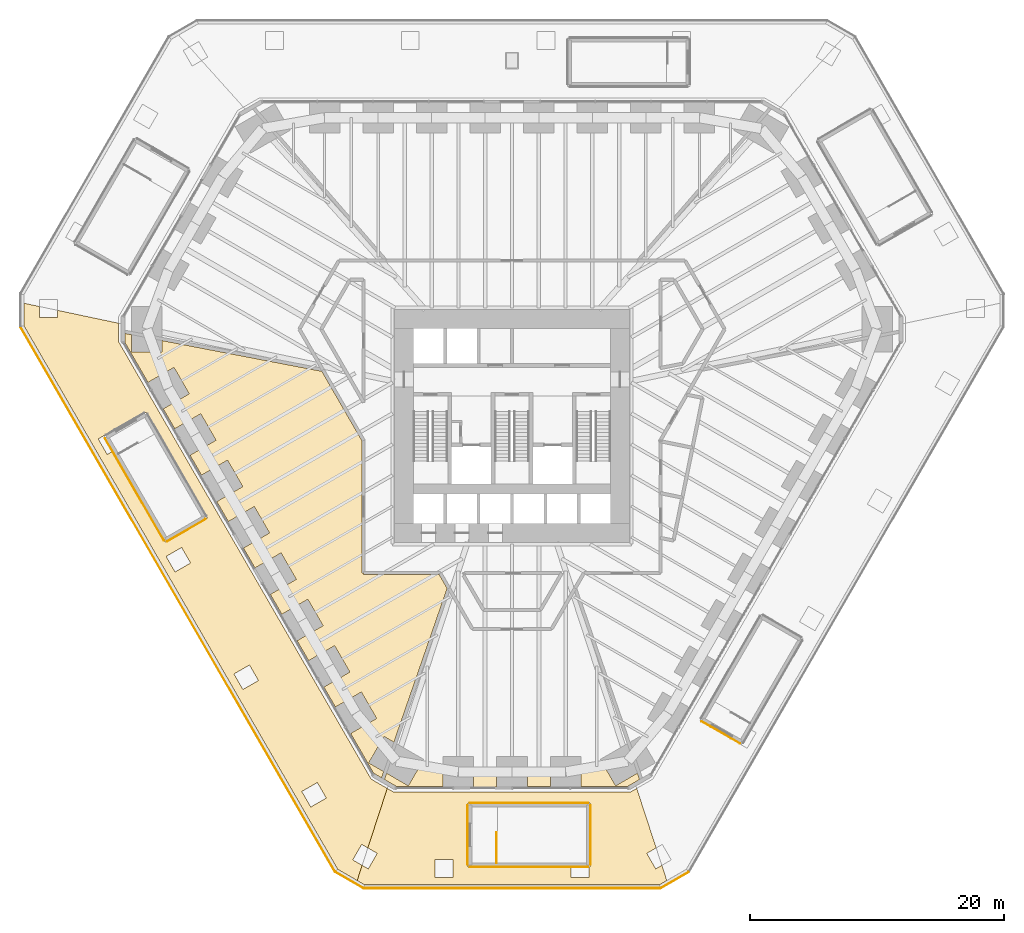
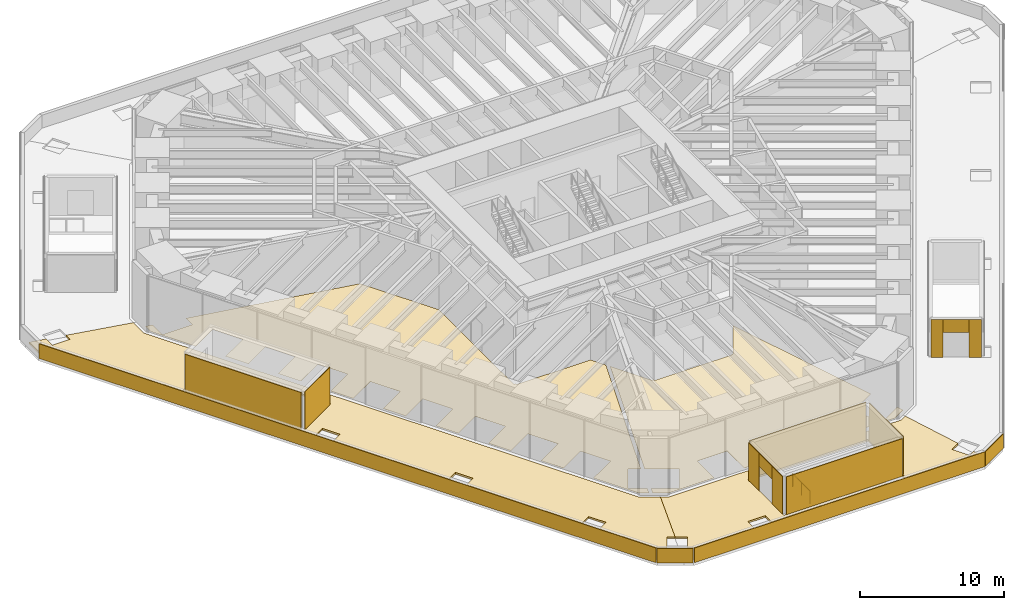
# One storey, part 15 of 20: 19 coverings, 1 railing.
"""IFC4 building model written with IfcOpenShell, lengths in metres."""

from ifc_helpers import new_model, si_unit, direction, frame, frame_2d, origin, origin_2d, place, context, subcontext, project, spatial, polyline, rectangle, circle, outline, extrude, material, layer, layer_set, type_object, element, save


model = new_model("IFC4")

# Units and contexts
model_context = context("Model", 3, precision=1e-05, world=origin(), true_north=direction((0.0, 1.0)))
body_context = subcontext(model_context, "Body", "Model", "MODEL_VIEW")
ifc_project = project(units=[si_unit("LENGTHUNIT", "METRE"), si_unit("AREAUNIT", "SQUARE_METRE"), si_unit("VOLUMEUNIT", "CUBIC_METRE"), si_unit("PLANEANGLEUNIT", "RADIAN"), si_unit("MASSUNIT", "GRAM", prefix="KILO")], contexts=[model_context])

# Site, building, storey
site_placement = place(None, origin())
site = spatial("IfcSite", under=ifc_project, at=site_placement, CompositionType="ELEMENT")
building_placement = place(site_placement, origin())
building = spatial("IfcBuilding", under=site, at=building_placement, Name="Sandreach Pilgrim Tower", CompositionType="ELEMENT")
storey_placement = place(building_placement, frame((0.0, 0.0, 18.0)))
storey = spatial("IfcBuildingStorey", under=building, at=storey_placement, Name="L03", CompositionType="ELEMENT", Elevation=18.0)

# Coverings
ifc_material_1 = material(Name="Epoxy resin floor on the slab", Category="plastic")
ifc_layer_1 = layer(ifc_material_1, 0.00390625)
ifc_layer_set_1 = layer_set([ifc_layer_1], Name="Epoxy resin floor")
covering_type_1 = type_object("IfcCoveringType", Name="Epoxy resin floor", PredefinedType="FLOORING", material=ifc_layer_set_1)
covering_1_placement = place(storey_placement, origin())
element("IfcCovering", 1, at=covering_1_placement, inside=storey, type_object=covering_type_1, Name="Floor finish 0305 Luggage store", PredefinedType="FLOORING", context=body_context, shape_type="SweptSolid", body=[
    extrude(outline(polyline([(-30.42626953125, 5.00244140625), (-30.42626953125, 5.725341796875), (-29.91259765625, 5.626708984375), (-29.91259765625, 4.26220703125), (-27.5126953125, 4.26220703125), (-27.5126953125, 5.164794921875), (-14.94970703125, 2.748046875), (-11.794921875, -2.713623046875), (-11.794921875, -13.1201171875), (-11.669921875, -13.1201171875), (-11.669921875, -13.2451171875), (-5.712646484375, -13.2451171875), (-5.0966796875, -14.32275390625), (-9.282470703125, -26.40966796875), (-10.065185546875, -25.957763671875), (-11.26513671875, -28.0361328125), (-10.082275390625, -28.71923828125), (-10.25341796875, -29.21337890625), (-10.880859375, -28.85107421875), (-12.686279296875, -25.72412109375), (-10.642333984375, -24.544189453125), (-11.842529296875, -22.4658203125), (-13.88623046875, -23.645751953125), (-14.791259765625, -22.078369140625), (-12.747314453125, -20.8984375), (-13.947265625, -18.81982421875), (-15.9912109375, -19.999755859375), (-16.896240234375, -18.432373046875), (-14.852294921875, -17.25244140625), (-16.05224609375, -15.174072265625), (-18.09619140625, -16.35400390625), (-19.001220703125, -14.78662109375), (-16.957275390625, -13.6064453125), (-18.1572265625, -11.528076171875), (-20.209716796875, -12.713134765625), (-21.11474609375, -11.145751953125), (-19.062255859375, -9.960693359375), (-20.26220703125, -7.882080078125), (-22.30615234375, -9.062255859375), (-23.2109375, -7.49462890625), (-21.167236328125, -6.314697265625), (-22.3671875, -4.236328125), (-24.4111328125, -5.416259765625), (-25.31591796875, -3.848876953125), (-23.272216796875, -2.6689453125), (-24.47216796875, -0.59033203125), (-26.515869140625, -1.770263671875), (-27.4208984375, -0.202880859375), (-25.377197265625, 0.97705078125), (-26.5771484375, 3.055419921875), (-28.620849609375, 1.87548828125), (-30.42626953125, 5.00244140625)])), origin(), (0.0, 0.0, 1.0), 0.00390625),
])
ifc_material_2 = material(Name="Porcelain tile on an adhesive bed", Category="ceramic")
ifc_layer_2 = layer(ifc_material_2, 0.011962890625)
ifc_layer_set_2 = layer_set([ifc_layer_2], Name="Porcelain tile")
covering_type_2 = type_object("IfcCoveringType", Name="Porcelain tile", PredefinedType="FLOORING", material=ifc_layer_set_2)
covering_2_placement = place(storey_placement, origin())
element("IfcCovering", 2, at=covering_2_placement, inside=storey, type_object=covering_type_2, Name="Floor finish 0304 Kitchen", PredefinedType="FLOORING", context=body_context, shape_type="SweptSolid", body=[
    extrude(outline(polyline([(-9.04541015625, -29.910888671875), (-10.032958984375, -29.340576171875), (-9.86181640625, -28.846435546875), (-8.1474609375, -29.836181640625), (-6.947509765625, -27.7578125), (-9.06201171875, -26.536865234375), (-4.929443359375, -14.603515625), (-3.21826171875, -17.572509765625), (-3.1103515625, -17.51025390625), (-3.110107421875, -17.635009765625), (3.110107421875, -17.635009765625), (3.110107421875, -17.510009765625), (3.21826171875, -17.572509765625), (4.931396484375, -14.609375), (9.06201171875, -26.536865234375), (6.947509765625, -27.7578125), (8.1474609375, -29.836181640625), (9.86181640625, -28.846435546875), (10.032958984375, -29.340576171875), (9.04541015625, -29.910888671875), (5.42236328125, -29.910888671875), (5.42236328125, -27.55078125), (3.022216796875, -27.55078125), (3.022216796875, -29.910888671875), (1.199951171875, -29.910888671875), (1.199951171875, -27.55078125), (-1.199951171875, -27.55078125), (-1.199951171875, -29.9208984375), (-3.022216796875, -29.9208984375), (-3.022216796875, -27.55078125), (-5.42236328125, -27.55078125), (-5.42236328125, -29.910888671875), (-9.04541015625, -29.910888671875)])), origin(), (0.0, 0.0, 1.0), 0.011962890625),
])

# Railing
ifc_material_3 = material(Name="Stainless steel tube", Category="steel")
railing_type = type_object("IfcRailingType", Name="Stair well guard", PredefinedType="GUARDRAIL", material=ifc_material_3)
railing_placement = place(storey_placement, frame((-1.211181640625, -33.510986328125, 0.0)))
element("IfcRailing", 3, at=railing_placement, inside=storey, type_object=railing_type, Name="Stair well guard ST5 L03", PredefinedType="GUARDRAIL", context=body_context, shape_type="SweptSolid", body=[
    extrude(circle(Radius=0.02392578125, at=origin_2d()), frame((0.0, 0.0, 1.076171875), z_axis=(0.0, -1.0, 0.0), x_axis=(1.0, 0.0, 0.0)), (0.0, 0.0, 1.0), 2.39990234375),
    extrude(circle(Radius=0.02099609375, at=origin_2d()), origin(), (0.0, 0.0, 1.0), 1.052001953125),
    extrude(circle(Radius=0.02099609375, at=origin_2d()), frame((0.0, -1.199951171875, 0.0)), (0.0, 0.0, 1.0), 1.052001953125),
    extrude(circle(Radius=0.02099609375, at=origin_2d()), frame((0.0, -2.39990234375, 0.0)), (0.0, 0.0, 1.0), 1.052001953125),
])

# Coverings
ifc_material_4 = material(Name="Concrete pavers on pedestals, insulation and waterproofing membrane", Category="concrete")
ifc_layer_3 = layer(ifc_material_4, 0.14990234375)
ifc_layer_set_3 = layer_set([ifc_layer_3], Name="Terrace roofing - pavers on pedestals over insulation and membrane")
covering_type_3 = type_object("IfcCoveringType", Name="Terrace roofing - pavers on pedestals over insulation and membrane", PredefinedType="ROOFING", material=ifc_layer_set_3)
covering_3_placement = place(storey_placement, frame((0.0, 0.0, -0.14990234375)))
element("IfcCovering", 4, at=covering_3_placement, inside=storey, type_object=covering_type_3, Name="Terrace roofing L03 RING-S", PredefinedType="ROOFING", context=body_context, shape_type="SweptSolid", body=[
    extrude(outline(polyline([(-11.78173828125, -36.093017578125), (-11.300048828125, -36.37109375), (-10.59521484375, -35.14990234375), (-11.33447265625, -34.72314453125), (-9.80712890625, -30.044189453125), (-9.34521484375, -30.310791015625), (9.34521484375, -30.310791015625), (9.80712890625, -30.044189453125), (11.33447265625, -34.72314453125), (10.59521484375, -35.14990234375), (11.300048828125, -36.37109375), (11.78173828125, -36.093017578125), (12.17138671875, -37.286376953125), (11.6025390625, -37.615234375), (-11.6025390625, -37.615234375), (-12.17138671875, -37.286376953125), (-11.78173828125, -36.093017578125)]), holes=[polyline([(-6.040283203125, -37.03369140625), (-4.630126953125, -37.03369140625), (-4.630126953125, -35.62353515625), (-6.040283203125, -35.62353515625), (-6.040283203125, -37.03369140625)]), polyline([(-3.46630859375, -36.2158203125), (4.630126953125, -36.2158203125), (4.630126953125, -37.03369140625), (6.040283203125, -37.03369140625), (6.040283203125, -36.2158203125), (6.143798828125, -36.2158203125), (6.143798828125, -31.205810546875), (-3.46630859375, -31.205810546875), (-3.46630859375, -36.2158203125)])]), origin(), (0.0, 0.0, 1.0), 0.14990234375),
])
covering_4_placement = place(storey_placement, frame((0.0, 0.0, -0.14990234375)))
element("IfcCovering", 5, at=covering_4_placement, inside=storey, type_object=covering_type_3, Name="Terrace roofing L03 RING-SW", PredefinedType="ROOFING", context=body_context, shape_type="SweptSolid", body=[
    extrude(outline(polyline([(-37.148193359375, 7.84326171875), (-37.148193359375, 6.989501953125), (-35.73828125, 6.989501953125), (-35.73828125, 7.545654296875), (-30.922607421875, 6.52880859375), (-30.922607421875, 5.062255859375), (-11.077392578125, -29.310791015625), (-9.80712890625, -30.044189453125), (-11.33447265625, -34.72314453125), (-11.816162109375, -34.445068359375), (-12.521240234375, -35.666015625), (-11.78173828125, -36.093017578125), (-12.17138671875, -37.286376953125), (-13.698486328125, -36.4033203125), (-38.375244140625, 6.33837890625), (-38.376708984375, 8.1025390625), (-37.148193359375, 7.84326171875)]), holes=[polyline([(-27.19580078125, -11.807373046875), (-26.49072265625, -13.028564453125), (-25.26953125, -12.323486328125), (-25.974609375, -11.102294921875), (-27.19580078125, -11.807373046875)]), polyline([(-28.767578125, -0.460693359375), (-31.28076171875, -1.911865234375), (-31.309326171875, -1.8623046875), (-32.530517578125, -2.5673828125), (-31.825439453125, -3.788330078125), (-31.390625, -3.537353515625), (-27.261962890625, -10.688232421875), (-23.96240234375, -8.783203125), (-28.767578125, -0.460693359375)]), polyline([(-15.30517578125, -29.58251953125), (-16.526123046875, -30.28759765625), (-15.8212890625, -31.508544921875), (-14.60009765625, -30.8037109375), (-15.30517578125, -29.58251953125)]), polyline([(-21.861083984375, -21.047607421875), (-21.156005859375, -22.2685546875), (-19.934814453125, -21.563720703125), (-20.639892578125, -20.342529296875), (-21.861083984375, -21.047607421875)])]), origin(), (0.0, 0.0, 1.0), 0.14990234375),
])
ifc_material_5 = material(Name="Terracotta rainscreen panels on aluminium rails", Category="masonry")
ifc_layer_4 = layer(ifc_material_5, 0.050048828125)
ifc_layer_set_4 = layer_set([ifc_layer_4], Name="Terracotta rainscreen cladding 50")
covering_type_4 = type_object("IfcCoveringType", Name="Terracotta rainscreen cladding 50", PredefinedType="CLADDING", material=ifc_layer_set_4)
covering_5_placement = place(storey_placement, frame((-38.63525390625, 6.228515625, -0.14990234375), z_axis=(0.0, 0.0, 1.0), x_axis=(0.500000964025, -0.866024847203, 0.0)))
element("IfcCovering", 6, at=covering_5_placement, inside=storey, type_object=covering_type_4, Name="Rainscreen cladding on setback parapet l03 4", PredefinedType="CLADDING", context=body_context, shape_type="SweptSolid", body=[
    extrude(rectangle(XDim=49.42333984375, YDim=0.050048828125, at=frame_2d((24.711669921875, 0.0))), origin(), (0.0, 0.0, 1.0), 1.25),
])
covering_6_placement = place(storey_placement, frame((-13.86865234375, -36.628173828125, -0.14990234375), z_axis=(0.0, 0.0, 1.0), x_axis=(0.865692356648, -0.500576411391, 0.0)))
element("IfcCovering", 7, at=covering_6_placement, inside=storey, type_object=covering_type_4, Name="Rainscreen cladding on setback parapet l03 5", PredefinedType="CLADDING", context=body_context, shape_type="SweptSolid", body=[
    extrude(rectangle(XDim=2.49072265625, YDim=0.050048828125, at=frame_2d((1.245361328125, 0.0))), origin(), (0.0, 0.0, 1.0), 1.25),
])
covering_7_placement = place(storey_placement, frame((-11.637451171875, -37.895263671875, -0.14990234375), z_axis=(0.0, 0.0, 1.0), x_axis=(1.0, 0.0, 0.0)))
element("IfcCovering", 8, at=covering_7_placement, inside=storey, type_object=covering_type_4, Name="Rainscreen cladding on setback parapet l03 6", PredefinedType="CLADDING", context=body_context, shape_type="SweptSolid", body=[
    extrude(rectangle(XDim=23.27490234375, YDim=0.050048828125, at=frame_2d((11.637451171875, 0.0))), origin(), (0.0, 0.0, 1.0), 1.25),
])
covering_8_placement = place(storey_placement, frame((11.71240234375, -37.875, -0.14990234375), z_axis=(0.0, 0.0, 1.0), x_axis=(0.865692356648, 0.500576411391, 0.0)))
element("IfcCovering", 9, at=covering_8_placement, inside=storey, type_object=covering_type_4, Name="Rainscreen cladding on setback parapet l03 7", PredefinedType="CLADDING", context=body_context, shape_type="SweptSolid", body=[
    extrude(rectangle(XDim=2.49072265625, YDim=0.050048828125, at=frame_2d((1.245361328125, 0.0))), origin(), (0.0, 0.0, 1.0), 1.25),
])
covering_9_placement = place(storey_placement, frame((-3.311279296875, -31.185791015625, 0.0), z_axis=(0.0, 0.0, 1.0), x_axis=(1.0, 0.0, 0.0)))
element("IfcCovering", 10, at=covering_9_placement, inside=storey, type_object=covering_type_4, Name="Rainscreen cladding on stair ST5 head-house wall", PredefinedType="CLADDING", context=body_context, shape_type="SweptSolid", body=[
    extrude(rectangle(XDim=9.300048828125, YDim=0.050048828125, at=frame_2d((4.64990234375, 0.0))), origin(), (0.0, 0.0, 1.0), 3.199951171875),
])
covering_10_placement = place(storey_placement, frame((6.163818359375, -31.36083984375, 0.0), z_axis=(0.0, 0.0, 1.0), x_axis=(0.0, -1.0, 0.0)))
element("IfcCovering", 11, at=covering_10_placement, inside=storey, type_object=covering_type_4, Name="Rainscreen cladding on stair ST5 head-house wall", PredefinedType="CLADDING", context=body_context, shape_type="SweptSolid", body=[
    extrude(rectangle(XDim=4.699951171875, YDim=0.050048828125, at=frame_2d((2.35009765625, 0.0))), origin(), (0.0, 0.0, 1.0), 3.199951171875),
])
covering_11_placement = place(storey_placement, frame((5.98876953125, -36.23583984375, 0.0), z_axis=(0.0, 0.0, 1.0), x_axis=(-1.0, 0.0, 0.0)))
element("IfcCovering", 12, at=covering_11_placement, inside=storey, type_object=covering_type_4, Name="Rainscreen cladding on stair ST5 head-house wall", PredefinedType="CLADDING", context=body_context, shape_type="SweptSolid", body=[
    extrude(rectangle(XDim=9.300048828125, YDim=0.050048828125, at=frame_2d((4.64990234375, 0.0))), origin(), (0.0, 0.0, 1.0), 3.199951171875),
])
for number, where, z_axis, x_axis, name in (
    (13, (-3.486083984375, -36.060791015625, 0.0), (0.0, 0.0, 1.0), (0.0, 1.0, 0.0), "Rainscreen cladding on stair ST5 head-house door wall, left of the door"),
    (14, (-3.486083984375, -32.810791015625, 0.0), (0.0, 0.0, 1.0), (0.0, 1.0, 0.0), "Rainscreen cladding on stair ST5 head-house door wall, right of the door"),
):
    element("IfcCovering", number, at=place(storey_placement, frame(where, z_axis=z_axis, x_axis=x_axis)), inside=storey, type_object=covering_type_4, Name=name, PredefinedType="CLADDING", context=body_context, shape_type="SweptSolid", body=[
        extrude(rectangle(XDim=1.449951171875, YDim=0.050048828125, at=frame_2d((0.72509765625, 0.0))), origin(), (0.0, 0.0, 1.0), 3.199951171875),
    ])
covering_12_placement = place(storey_placement, frame((-3.486083984375, -34.61083984375, 2.10009765625), z_axis=(0.0, 0.0, 1.0), x_axis=(0.0, 1.0, 0.0)))
element("IfcCovering", 15, at=covering_12_placement, inside=storey, type_object=covering_type_4, Name="Rainscreen cladding on stair ST5 head-house door wall, over the door", PredefinedType="CLADDING", context=body_context, shape_type="SweptSolid", body=[
    extrude(rectangle(XDim=1.800048828125, YDim=0.050048828125, at=frame_2d((0.89990234375, 0.0))), origin(), (0.0, 0.0, 1.0), 1.099853515625),
])
for number, where, z_axis, x_axis, name in (
    (16, (17.93798828125, -26.52783203125, 0.0), (0.0, 0.0, 1.0), (-0.865989465428, 0.500062241894, 0.0), "Rainscreen cladding on stair ST8 head-house door wall, left of the door"),
    (17, (15.64306640625, -25.202880859375, 0.0), (0.0, 0.0, 1.0), (-0.865989465428, 0.500062241894, 0.0), "Rainscreen cladding on stair ST8 head-house door wall, right of the door"),
):
    element("IfcCovering", number, at=place(storey_placement, frame(where, z_axis=z_axis, x_axis=x_axis)), inside=storey, type_object=covering_type_4, Name=name, PredefinedType="CLADDING", context=body_context, shape_type="SweptSolid", body=[
        extrude(rectangle(XDim=0.85009765625, YDim=0.050048828125, at=frame_2d((0.425048828125, 0.0))), origin(), (0.0, 0.0, 1.0), 3.199951171875),
    ])
covering_13_placement = place(storey_placement, frame((17.201904296875, -26.102783203125, 2.10009765625), z_axis=(0.0, 0.0, 1.0), x_axis=(-0.866047807691, 0.499961193289, 0.0)))
element("IfcCovering", 18, at=covering_13_placement, inside=storey, type_object=covering_type_4, Name="Rainscreen cladding on stair ST8 head-house door wall, over the door", PredefinedType="CLADDING", context=body_context, shape_type="SweptSolid", body=[
    extrude(rectangle(XDim=1.800048828125, YDim=0.050048828125, at=frame_2d((0.89990234375, 0.0))), origin(), (0.0, 0.0, 1.0), 1.099853515625),
])
covering_14_placement = place(storey_placement, frame((-24.086669921875, -8.8779296875, 0.0), z_axis=(0.0, 0.0, 1.0), x_axis=(-0.866019471182, -0.500010275428, 0.0)))
element("IfcCovering", 19, at=covering_14_placement, inside=storey, type_object=covering_type_4, Name="Rainscreen cladding on stair ST9 head-house wall", PredefinedType="CLADDING", context=body_context, shape_type="SweptSolid", body=[
    extrude(rectangle(XDim=3.5, YDim=0.050048828125, at=frame_2d((1.75, 0.0))), origin(), (0.0, 0.0, 1.0), 3.199951171875),
])
covering_15_placement = place(storey_placement, frame((-27.35693359375, -10.56396484375, 0.0), z_axis=(0.0, 0.0, 1.0), x_axis=(-0.499995904083, 0.86602776855, 0.0)))
element("IfcCovering", 20, at=covering_15_placement, inside=storey, type_object=covering_type_4, Name="Rainscreen cladding on stair ST9 head-house wall", PredefinedType="CLADDING", context=body_context, shape_type="SweptSolid", body=[
    extrude(rectangle(XDim=9.2998046875, YDim=0.050048828125, at=frame_2d((4.64990234375, 0.0))), origin(), (0.0, 0.0, 1.0), 3.199951171875),
])

save(model, "model.ifc")
